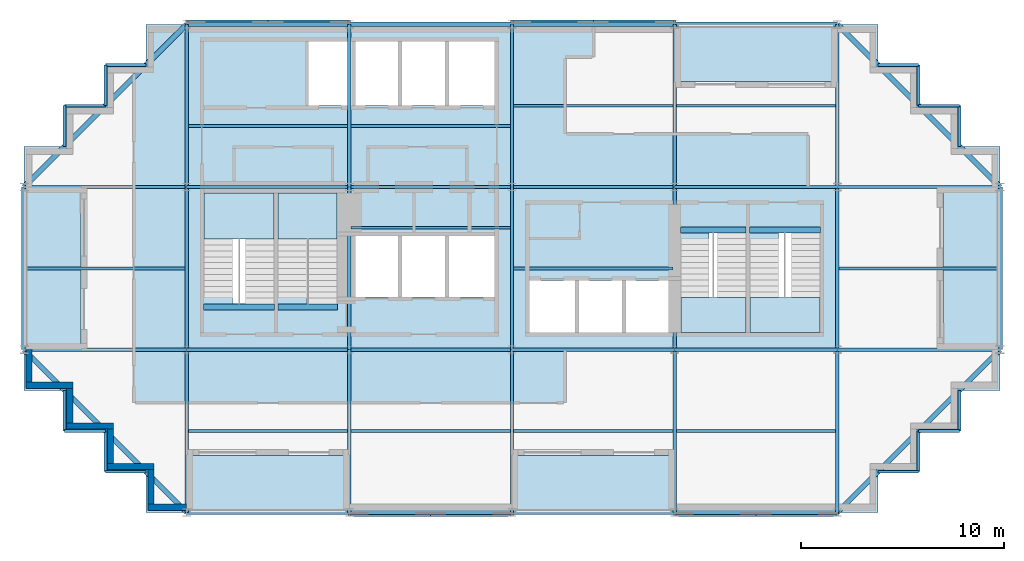
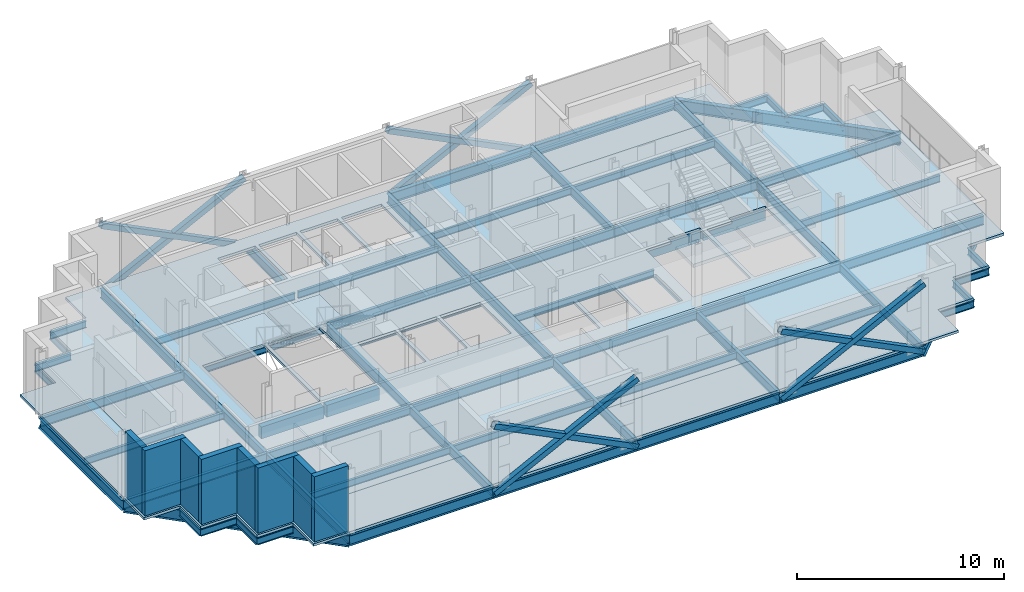
# One storey, part 3 of 8: 73 beams, 12 slabs, 8 members, 8 walls, 4 elements without a shape of their own.
"""IFC4 building model written with IfcOpenShell, lengths in metres."""

from ifc_helpers import new_model, si_unit, direction, frame, frame_2d, origin, origin_2d, place, context, subcontext, project, spatial, polyline, rectangle, hollow_rectangle, i_section, outline, extrude, material, layer, layer_set, material_profile, profile_set, type_object, element, aggregate, save


model = new_model("IFC4")

# Units and contexts
model_context = context("Model", 3, precision=1e-05, world=origin(), true_north=direction((0.0, 1.0)))
body_context = subcontext(model_context, "Body", "Model", "MODEL_VIEW")
ifc_project = project(units=[si_unit("LENGTHUNIT", "METRE"), si_unit("AREAUNIT", "SQUARE_METRE"), si_unit("VOLUMEUNIT", "CUBIC_METRE"), si_unit("PLANEANGLEUNIT", "RADIAN"), si_unit("MASSUNIT", "GRAM", prefix="KILO")], contexts=[model_context])

# Site, building, storey
site_placement = place(None, origin())
site = spatial("IfcSite", under=ifc_project, at=site_placement, CompositionType="ELEMENT")
building_placement = place(site_placement, origin())
building = spatial("IfcBuilding", under=site, at=building_placement, Name="Immortelle Media Tower", CompositionType="ELEMENT")
storey_placement = place(building_placement, frame((0.0, 0.0, 267.0)))
storey = spatial("IfcBuildingStorey", under=building, at=storey_placement, Name="L58", CompositionType="ELEMENT", Elevation=267.0)

# Members
ifc_material_1 = material(Name="Steel ASTM A500 Gr C", Category="steel")
ifc_material_profile_1 = material_profile(ifc_material_1, hollow_rectangle(XDim=0.304931640625, YDim=0.304931640625, WallThickness=0.011962890625, at=origin_2d()), Name="HSS12x12x1/2 brace")
ifc_profile_set_1 = profile_set([ifc_material_profile_1], Name="Steel ASTM A500 Gr C")
member_type = type_object("IfcMemberType", Name="HSS12x12x1/2 brace", PredefinedType="BRACE", material=ifc_profile_set_1)
for number, where, z_axis, x_axis, name in (
    (1, (16.0, -0.0625, -0.4560546875), (0.894427191, 0.0, 0.4472135955), (0.0, 1.0, 0.0), "Brace A/3-4 A"),
    (2, (16.0, -0.0625, 3.5439453125), (0.894427191, 0.0, -0.4472135955), (0.0, 1.0, 0.0), "Brace A/3-4 B"),
    (3, (32.0, -0.0625, -0.4560546875), (0.894427191, 0.0, 0.4472135955), (0.0, 1.0, 0.0), "Brace A/5-6 A"),
    (4, (32.0, -0.0625, 3.5439453125), (0.894427191, 0.0, -0.4472135955), (0.0, 1.0, 0.0), "Brace A/5-6 B"),
    (5, (32.0, 24.0625, -0.4560546875), (-0.894427191, 0.0, 0.4472135955), (0.0, -1.0, 0.0), "Brace D/4-5 A"),
    (6, (32.0, 24.0625, 3.5439453125), (-0.894427191, 0.0, -0.4472135955), (0.0, -1.0, 0.0), "Brace D/4-5 B"),
    (7, (16.0, 24.0625, -0.4560546875), (-0.894427191, 0.0, 0.4472135955), (0.0, -1.0, 0.0), "Brace D/2-3 A"),
    (8, (16.0, 24.0625, 3.5439453125), (-0.894427191, 0.0, -0.4472135955), (0.0, -1.0, 0.0), "Brace D/2-3 B"),
):
    element("IfcMember", number, at=place(storey_placement, frame(where, z_axis=z_axis, x_axis=x_axis)), inside=storey, type_object=member_type, Name=name, PredefinedType="BRACE", context=body_context, shape_type="SweptSolid", body=[
        extrude(hollow_rectangle(XDim=0.304931640625, YDim=0.304931640625, WallThickness=0.011962890625, at=origin_2d()), origin(), (0.0, 0.0, 1.0), 8.9443359375),
    ])

# Beams
ifc_material_2 = material(Name="Concrete C50/60", Category="concrete")
ifc_material_profile_2 = material_profile(ifc_material_2, rectangle(XDim=0.300048828125, YDim=0.699951171875, at=origin_2d()), Name="RC 300x700")
ifc_profile_set_2 = profile_set([ifc_material_profile_2], Name="Concrete C50/60")
beam_type_1 = type_object("IfcBeamType", Name="Stair trimmer beam 300 x 700", PredefinedType="BEAM", material=ifc_profile_set_2)
beam_1_placement = place(storey_placement, frame((8.830078125, 10.10498046875, -0.5), z_axis=(1.0, 0.0, 0.0), x_axis=(0.0, 1.0, 0.0)))
element("IfcBeam", 9, at=beam_1_placement, inside=storey, type_object=beam_type_1, Name="Stair trimmer beam SW1", PredefinedType="BEAM", context=body_context, shape_type="SweptSolid", body=[
    extrude(rectangle(XDim=0.300048828125, YDim=0.699951171875, at=origin_2d()), origin(), (0.0, 0.0, 1.0), 3.489990234375),
])
beam_2_placement = place(storey_placement, frame((12.47998046875, 10.10498046875, -0.5), z_axis=(1.0, 0.0, 0.0), x_axis=(0.0, 1.0, 0.0)))
element("IfcBeam", 10, at=beam_2_placement, inside=storey, type_object=beam_type_1, Name="Stair trimmer beam SW2", PredefinedType="BEAM", context=body_context, shape_type="SweptSolid", body=[
    extrude(rectangle(XDim=0.300048828125, YDim=0.699951171875, at=origin_2d()), origin(), (0.0, 0.0, 1.0), 2.93994140625),
])
beam_3_placement = place(storey_placement, frame((32.280029296875, 13.89501953125, -0.5), z_axis=(1.0, 0.0, 0.0), x_axis=(0.0, 1.0, 0.0)))
element("IfcBeam", 11, at=beam_3_placement, inside=storey, type_object=beam_type_1, Name="Stair trimmer beam SE1", PredefinedType="BEAM", context=body_context, shape_type="SweptSolid", body=[
    extrude(rectangle(XDim=0.300048828125, YDim=0.699951171875, at=origin_2d()), origin(), (0.0, 0.0, 1.0), 3.239990234375),
])
beam_4_placement = place(storey_placement, frame((35.679931640625, 13.89501953125, -0.5), z_axis=(1.0, 0.0, 0.0), x_axis=(0.0, 1.0, 0.0)))
element("IfcBeam", 12, at=beam_4_placement, inside=storey, type_object=beam_type_1, Name="Stair trimmer beam SE2", PredefinedType="BEAM", context=body_context, shape_type="SweptSolid", body=[
    extrude(rectangle(XDim=0.300048828125, YDim=0.699951171875, at=origin_2d()), origin(), (0.0, 0.0, 1.0), 3.489990234375),
])
ifc_material_3 = material(Name="Steel ASTM A992 Gr 50", Category="steel")
ifc_material_profile_3 = material_profile(ifc_material_3, i_section(OverallWidth=0.139892578125, OverallDepth=0.404052734375, WebThickness=0.007080078125, FlangeThickness=0.010986328125, at=origin_2d()), Name="W16x31")
ifc_profile_set_3 = profile_set([ifc_material_profile_3], Name="Steel ASTM A992 Gr 50")
beam_type_2 = type_object("IfcBeamType", Name="W16x31 secondary beam", PredefinedType="JOIST", material=ifc_profile_set_3)
for number, where, z_axis, x_axis, name in (
    (13, (8.08349609375, 4.0, -0.35205078125), (1.0, 0.0, 0.0), (0.0, 1.0, 0.0), "Beam A-B/2-3"),
    (14, (16.08349609375, 4.0, -0.35205078125), (1.0, 0.0, 0.0), (0.0, 1.0, 0.0), "Beam A-B/3-4"),
    (15, (24.08349609375, 4.0, -0.35205078125), (1.0, 0.0, 0.0), (0.0, 1.0, 0.0), "Beam A-B/4-5"),
    (16, (32.08349609375, 4.0, -0.35205078125), (1.0, 0.0, 0.0), (0.0, 1.0, 0.0), "Beam A-B/5-6"),
):
    element("IfcBeam", number, at=place(storey_placement, frame(where, z_axis=z_axis, x_axis=x_axis)), inside=storey, type_object=beam_type_2, Name=name, PredefinedType="JOIST", context=body_context, shape_type="SweptSolid", body=[
        extrude(i_section(OverallWidth=0.139892578125, OverallDepth=0.404052734375, WebThickness=0.007080078125, FlangeThickness=0.010986328125, at=origin_2d()), origin(), (0.0, 0.0, 1.0), 7.8330078125),
    ])
beam_5_placement = place(storey_placement, frame((0.114501953125, 12.0, -0.35205078125), z_axis=(1.0, 0.0, 0.0), x_axis=(0.0, 1.0, 0.0)))
element("IfcBeam", 17, at=beam_5_placement, inside=storey, type_object=beam_type_2, Name="Beam B-C/1-2", PredefinedType="JOIST", context=body_context, shape_type="SweptSolid", body=[
    extrude(i_section(OverallWidth=0.139892578125, OverallDepth=0.404052734375, WebThickness=0.007080078125, FlangeThickness=0.010986328125, at=origin_2d()), origin(), (0.0, 0.0, 1.0), 7.802001953125),
])
for number, where, z_axis, x_axis, name in (
    (18, (16.08349609375, 14.0, -0.35205078125), (1.0, 0.0, 0.0), (0.0, 1.0, 0.0), "Beam B-C/3-4"),
    (19, (24.08349609375, 12.0, -0.35205078125), (1.0, 0.0, 0.0), (0.0, 1.0, 0.0), "Beam B-C/4-5"),
):
    element("IfcBeam", number, at=place(storey_placement, frame(where, z_axis=z_axis, x_axis=x_axis)), inside=storey, type_object=beam_type_2, Name=name, PredefinedType="JOIST", context=body_context, shape_type="SweptSolid", body=[
        extrude(i_section(OverallWidth=0.139892578125, OverallDepth=0.404052734375, WebThickness=0.007080078125, FlangeThickness=0.010986328125, at=origin_2d()), origin(), (0.0, 0.0, 1.0), 7.8330078125),
    ])
beam_6_placement = place(storey_placement, frame((40.08349609375, 12.0, -0.35205078125), z_axis=(1.0, 0.0, 0.0), x_axis=(0.0, 1.0, 0.0)))
element("IfcBeam", 20, at=beam_6_placement, inside=storey, type_object=beam_type_2, Name="Beam B-C/6-7", PredefinedType="JOIST", context=body_context, shape_type="SweptSolid", body=[
    extrude(i_section(OverallWidth=0.139892578125, OverallDepth=0.404052734375, WebThickness=0.007080078125, FlangeThickness=0.010986328125, at=origin_2d()), origin(), (0.0, 0.0, 1.0), 7.802001953125),
])
for number, where, z_axis, x_axis, name in (
    (21, (8.08349609375, 19.0, -0.35205078125), (1.0, 0.0, 0.0), (0.0, 1.0, 0.0), "Beam C-D/2-3"),
    (22, (16.08349609375, 19.0, -0.35205078125), (1.0, 0.0, 0.0), (0.0, 1.0, 0.0), "Beam C-D/3-4"),
    (23, (24.08349609375, 20.0, -0.35205078125), (1.0, 0.0, 0.0), (0.0, 1.0, 0.0), "Beam C-D/4-5"),
    (24, (32.08349609375, 20.0, -0.35205078125), (1.0, 0.0, 0.0), (0.0, 1.0, 0.0), "Beam C-D/5-6"),
):
    element("IfcBeam", number, at=place(storey_placement, frame(where, z_axis=z_axis, x_axis=x_axis)), inside=storey, type_object=beam_type_2, Name=name, PredefinedType="JOIST", context=body_context, shape_type="SweptSolid", body=[
        extrude(i_section(OverallWidth=0.139892578125, OverallDepth=0.404052734375, WebThickness=0.007080078125, FlangeThickness=0.010986328125, at=origin_2d()), origin(), (0.0, 0.0, 1.0), 7.8330078125),
    ])
ifc_material_profile_4 = material_profile(ifc_material_3, i_section(OverallWidth=0.139892578125, OverallDepth=0.404052734375, WebThickness=0.007080078125, FlangeThickness=0.010986328125, at=origin_2d()), Name="W16x31")
ifc_profile_set_4 = profile_set([ifc_material_profile_4], Name="Steel ASTM A992 Gr 50")
beam_type_3 = type_object("IfcBeamType", Name="W16x31 serration edge beam", PredefinedType="SPANDREL", material=ifc_profile_set_4)
for number, where, z_axis, x_axis, name in (
    (25, (6.0, 2.0, -0.35205078125), (-1.0, 0.0, 0.0), (0.0, -1.0, 0.0), "Corner edge beam 1 at 1/A"),
    (26, (4.0, 2.0, -0.35205078125), (0.0, 1.0, 0.0), (-1.0, 0.0, 0.0), "Corner edge beam 2 at 1/A"),
    (27, (4.0, 4.0, -0.35205078125), (-1.0, 0.0, 0.0), (0.0, -1.0, 0.0), "Corner edge beam 3 at 1/A"),
    (28, (2.0, 4.0, -0.35205078125), (0.0, 1.0, 0.0), (-1.0, 0.0, 0.0), "Corner edge beam 4 at 1/A"),
    (29, (2.0, 18.0, -0.35205078125), (0.0, 1.0, 0.0), (-1.0, 0.0, 0.0), "Corner edge beam 1 at 1/D"),
    (30, (2.0, 20.0, -0.35205078125), (1.0, 0.0, 0.0), (0.0, 1.0, 0.0), "Corner edge beam 2 at 1/D"),
    (31, (4.0, 20.0, -0.35205078125), (0.0, 1.0, 0.0), (-1.0, 0.0, 0.0), "Corner edge beam 3 at 1/D"),
    (32, (4.0, 22.0, -0.35205078125), (1.0, 0.0, 0.0), (0.0, 1.0, 0.0), "Corner edge beam 4 at 1/D"),
    (33, (46.0, 6.0, -0.35205078125), (0.0, -1.0, 0.0), (1.0, 0.0, 0.0), "Corner edge beam 1 at 7/A"),
    (34, (46.0, 4.0, -0.35205078125), (-1.0, 0.0, 0.0), (0.0, -1.0, 0.0), "Corner edge beam 2 at 7/A"),
    (35, (44.0, 4.0, -0.35205078125), (0.0, -1.0, 0.0), (1.0, 0.0, 0.0), "Corner edge beam 3 at 7/A"),
    (36, (44.0, 2.0, -0.35205078125), (-1.0, 0.0, 0.0), (0.0, -1.0, 0.0), "Corner edge beam 4 at 7/A"),
    (37, (42.0, 22.0, -0.35205078125), (1.0, 0.0, 0.0), (0.0, 1.0, 0.0), "Corner edge beam 1 at 7/D"),
    (38, (44.0, 22.0, -0.35205078125), (0.0, -1.0, 0.0), (1.0, 0.0, 0.0), "Corner edge beam 2 at 7/D"),
    (39, (44.0, 20.0, -0.35205078125), (1.0, 0.0, 0.0), (0.0, 1.0, 0.0), "Corner edge beam 3 at 7/D"),
    (40, (46.0, 20.0, -0.35205078125), (0.0, -1.0, 0.0), (1.0, 0.0, 0.0), "Corner edge beam 4 at 7/D"),
):
    element("IfcBeam", number, at=place(storey_placement, frame(where, z_axis=z_axis, x_axis=x_axis)), inside=storey, type_object=beam_type_3, Name=name, PredefinedType="SPANDREL", context=body_context, shape_type="SweptSolid", body=[
        extrude(i_section(OverallWidth=0.139892578125, OverallDepth=0.404052734375, WebThickness=0.007080078125, FlangeThickness=0.010986328125, at=origin_2d()), origin(), (0.0, 0.0, 1.0), 2.0),
    ])
ifc_material_profile_5 = material_profile(ifc_material_3, i_section(OverallWidth=0.1669921875, OverallDepth=0.535888671875, WebThickness=0.010009765625, FlangeThickness=0.01708984375, at=origin_2d()), Name="W21x57")
ifc_profile_set_5 = profile_set([ifc_material_profile_5], Name="Steel ASTM A992 Gr 50")
beam_type_4 = type_object("IfcBeamType", Name="W21x57 girder", PredefinedType="BEAM", material=ifc_profile_set_5)
for number, where, z_axis, x_axis, name in (
    (41, (0.0, 8.0, -0.41796875), (1.0, 0.0, 0.0), (0.0, 1.0, 0.0), "Girder B/1-2"),
    (42, (0.0, 16.0, -0.41796875), (1.0, 0.0, 0.0), (0.0, 1.0, 0.0), "Girder C/1-2"),
    (43, (8.0, 0.0, -0.41796875), (0.0, 1.0, 0.0), (-1.0, 0.0, 0.0), "Girder 2/A-B"),
    (44, (8.0, 8.0, -0.41796875), (1.0, 0.0, 0.0), (0.0, 1.0, 0.0), "Girder B/2-3"),
    (45, (8.0, 8.0, -0.41796875), (0.0, 1.0, 0.0), (-1.0, 0.0, 0.0), "Girder 2/B-C"),
    (46, (8.0, 16.0, -0.41796875), (1.0, 0.0, 0.0), (0.0, 1.0, 0.0), "Girder C/2-3"),
    (47, (8.0, 16.0, -0.41796875), (0.0, 1.0, 0.0), (-1.0, 0.0, 0.0), "Girder 2/C-D"),
    (48, (16.0, 0.0, -0.41796875), (0.0, 1.0, 0.0), (-1.0, 0.0, 0.0), "Girder 3/A-B"),
    (49, (16.0, 8.0, -0.41796875), (1.0, 0.0, 0.0), (0.0, 1.0, 0.0), "Girder B/3-4"),
    (50, (16.0, 8.0, -0.41796875), (0.0, 1.0, 0.0), (-1.0, 0.0, 0.0), "Girder 3/B-C"),
    (51, (16.0, 16.0, -0.41796875), (1.0, 0.0, 0.0), (0.0, 1.0, 0.0), "Girder C/3-4"),
    (52, (16.0, 16.0, -0.41796875), (0.0, 1.0, 0.0), (-1.0, 0.0, 0.0), "Girder 3/C-D"),
    (53, (24.0, 0.0, -0.41796875), (0.0, 1.0, 0.0), (-1.0, 0.0, 0.0), "Girder 4/A-B"),
    (54, (24.0, 8.0, -0.41796875), (1.0, 0.0, 0.0), (0.0, 1.0, 0.0), "Girder B/4-5"),
    (55, (24.0, 8.0, -0.41796875), (0.0, 1.0, 0.0), (-1.0, 0.0, 0.0), "Girder 4/B-C"),
    (56, (24.0, 16.0, -0.41796875), (1.0, 0.0, 0.0), (0.0, 1.0, 0.0), "Girder C/4-5"),
    (57, (24.0, 16.0, -0.41796875), (0.0, 1.0, 0.0), (-1.0, 0.0, 0.0), "Girder 4/C-D"),
    (58, (32.0, 0.0, -0.41796875), (0.0, 1.0, 0.0), (-1.0, 0.0, 0.0), "Girder 5/A-B"),
    (59, (32.0, 8.0, -0.41796875), (1.0, 0.0, 0.0), (0.0, 1.0, 0.0), "Girder B/5-6"),
    (60, (32.0, 8.0, -0.41796875), (0.0, 1.0, 0.0), (-1.0, 0.0, 0.0), "Girder 5/B-C"),
    (61, (32.0, 16.0, -0.41796875), (1.0, 0.0, 0.0), (0.0, 1.0, 0.0), "Girder C/5-6"),
    (62, (32.0, 16.0, -0.41796875), (0.0, 1.0, 0.0), (-1.0, 0.0, 0.0), "Girder 5/C-D"),
    (63, (40.0, 0.0, -0.41796875), (0.0, 1.0, 0.0), (-1.0, 0.0, 0.0), "Girder 6/A-B"),
    (64, (40.0, 8.0, -0.41796875), (1.0, 0.0, 0.0), (0.0, 1.0, 0.0), "Girder B/6-7"),
    (65, (40.0, 8.0, -0.41796875), (0.0, 1.0, 0.0), (-1.0, 0.0, 0.0), "Girder 6/B-C"),
    (66, (40.0, 16.0, -0.41796875), (1.0, 0.0, 0.0), (0.0, 1.0, 0.0), "Girder C/6-7"),
    (67, (40.0, 16.0, -0.41796875), (0.0, 1.0, 0.0), (-1.0, 0.0, 0.0), "Girder 6/C-D"),
):
    element("IfcBeam", number, at=place(storey_placement, frame(where, z_axis=z_axis, x_axis=x_axis)), inside=storey, type_object=beam_type_4, Name=name, PredefinedType="BEAM", context=body_context, shape_type="SweptSolid", body=[
        extrude(i_section(OverallWidth=0.1669921875, OverallDepth=0.535888671875, WebThickness=0.010009765625, FlangeThickness=0.01708984375, at=origin_2d()), origin(), (0.0, 0.0, 1.0), 8.0),
    ])
ifc_material_profile_6 = material_profile(ifc_material_3, i_section(OverallWidth=0.22900390625, OverallDepth=0.612060546875, WebThickness=0.011962890625, FlangeThickness=0.02001953125, at=origin_2d()), Name="W24x84")
ifc_profile_set_6 = profile_set([ifc_material_profile_6], Name="Steel ASTM A992 Gr 50")
beam_type_5 = type_object("IfcBeamType", Name="W24x84 perimeter girder", PredefinedType="SPANDREL", material=ifc_profile_set_6)
for number, where, z_axis, x_axis, name in (
    (68, (0.0, 8.0, -0.4560546875), (0.0, 1.0, 0.0), (-1.0, 0.0, 0.0), "Girder 1/B-C"),
    (69, (8.0, 0.0, -0.4560546875), (1.0, 0.0, 0.0), (0.0, 1.0, 0.0), "Girder A/2-3"),
    (70, (8.0, 24.0, -0.4560546875), (1.0, 0.0, 0.0), (0.0, 1.0, 0.0), "Girder D/2-3"),
    (71, (16.0, 0.0, -0.4560546875), (1.0, 0.0, 0.0), (0.0, 1.0, 0.0), "Girder A/3-4"),
    (72, (16.0, 24.0, -0.4560546875), (1.0, 0.0, 0.0), (0.0, 1.0, 0.0), "Girder D/3-4"),
    (73, (24.0, 0.0, -0.4560546875), (1.0, 0.0, 0.0), (0.0, 1.0, 0.0), "Girder A/4-5"),
    (74, (24.0, 24.0, -0.4560546875), (1.0, 0.0, 0.0), (0.0, 1.0, 0.0), "Girder D/4-5"),
    (75, (32.0, 0.0, -0.4560546875), (1.0, 0.0, 0.0), (0.0, 1.0, 0.0), "Girder A/5-6"),
    (76, (32.0, 24.0, -0.4560546875), (1.0, 0.0, 0.0), (0.0, 1.0, 0.0), "Girder D/5-6"),
    (77, (48.0, 8.0, -0.4560546875), (0.0, 1.0, 0.0), (-1.0, 0.0, 0.0), "Girder 7/B-C"),
):
    element("IfcBeam", number, at=place(storey_placement, frame(where, z_axis=z_axis, x_axis=x_axis)), inside=storey, type_object=beam_type_5, Name=name, PredefinedType="SPANDREL", context=body_context, shape_type="SweptSolid", body=[
        extrude(i_section(OverallWidth=0.22900390625, OverallDepth=0.612060546875, WebThickness=0.011962890625, FlangeThickness=0.02001953125, at=origin_2d()), origin(), (0.0, 0.0, 1.0), 8.0),
    ])
ifc_material_profile_7 = material_profile(ifc_material_3, i_section(OverallWidth=0.2529296875, OverallDepth=0.677978515625, WebThickness=0.011962890625, FlangeThickness=0.01611328125, at=origin_2d()), Name="W27x84")
ifc_profile_set_7 = profile_set([ifc_material_profile_7], Name="Steel ASTM A992 Gr 50")
beam_type_6 = type_object("IfcBeamType", Name="W27x84 corner girder", PredefinedType="SPANDREL", material=ifc_profile_set_7)
for number, where, z_axis, x_axis, name in (
    (78, (8.0, 0.0, -0.489013671875), (-0.707106781187, 0.707106781187, 0.0), (-0.707106781187, -0.707106781187, 0.0), "Corner girder at 1/A"),
    (79, (0.0, 16.0, -0.489013671875), (0.707106781187, 0.707106781187, 0.0), (-0.707106781187, 0.707106781187, 0.0), "Corner girder at 1/D"),
    (80, (48.0, 8.0, -0.489013671875), (-0.707106781187, -0.707106781187, 0.0), (0.707106781187, -0.707106781187, 0.0), "Corner girder at 7/A"),
    (81, (40.0, 24.0, -0.489013671875), (0.707106781187, -0.707106781187, 0.0), (0.707106781187, 0.707106781187, 0.0), "Corner girder at 7/D"),
):
    element("IfcBeam", number, at=place(storey_placement, frame(where, z_axis=z_axis, x_axis=x_axis)), inside=storey, type_object=beam_type_6, Name=name, PredefinedType="SPANDREL", context=body_context, shape_type="SweptSolid", body=[
        extrude(i_section(OverallWidth=0.2529296875, OverallDepth=0.677978515625, WebThickness=0.011962890625, FlangeThickness=0.01611328125, at=origin_2d()), origin(), (0.0, 0.0, 1.0), 11.313720703125),
    ])

# Slabs
ifc_material_4 = material(Name="Concrete C50/60 composite deck", Category="concrete")
ifc_layer_1 = layer(ifc_material_4, 0.14990234375)
ifc_layer_set_1 = layer_set([ifc_layer_1], Name="Concrete C50/60 composite deck")
slab_type_1 = type_object("IfcSlabType", Name="Balcony slab 150", PredefinedType="FLOOR", material=ifc_layer_set_1)
slab_1_placement = place(storey_placement, frame((0.0, 0.0, -0.14990234375)))
element("IfcSlab", 82, at=slab_1_placement, inside=storey, type_object=slab_type_1, Name="Balcony slab L58 S0", PredefinedType="FLOOR", context=body_context, shape_type="SweptSolid", body=[
    extrude(outline(polyline([(16.0, 0.0), (16.0, 2.800048828125), (8.0, 2.800048828125), (8.0, 0.0), (16.0, 0.0)])), origin(), (0.0, 0.0, 1.0), 0.14990234375),
])
slab_2_placement = place(storey_placement, frame((0.0, 0.0, -0.14990234375)))
element("IfcSlab", 83, at=slab_2_placement, inside=storey, type_object=slab_type_1, Name="Balcony slab L58 S2", PredefinedType="FLOOR", context=body_context, shape_type="SweptSolid", body=[
    extrude(outline(polyline([(32.0, 0.0), (32.0, 2.800048828125), (24.0, 2.800048828125), (24.0, 0.0), (32.0, 0.0)])), origin(), (0.0, 0.0, 1.0), 0.14990234375),
])
slab_3_placement = place(storey_placement, frame((0.0, 0.0, -0.14990234375)))
element("IfcSlab", 84, at=slab_3_placement, inside=storey, type_object=slab_type_1, Name="Balcony slab L58 E0", PredefinedType="FLOOR", context=body_context, shape_type="SweptSolid", body=[
    extrude(outline(polyline([(48.0, 8.0), (48.0, 16.0), (45.199951171875, 16.0), (45.199951171875, 8.0), (48.0, 8.0)])), origin(), (0.0, 0.0, 1.0), 0.14990234375),
])
slab_4_placement = place(storey_placement, frame((0.0, 0.0, -0.14990234375)))
element("IfcSlab", 85, at=slab_4_placement, inside=storey, type_object=slab_type_1, Name="Balcony slab L58 N0", PredefinedType="FLOOR", context=body_context, shape_type="SweptSolid", body=[
    extrude(outline(polyline([(40.0, 21.199951171875), (40.0, 24.0), (32.0, 24.0), (32.0, 21.199951171875), (40.0, 21.199951171875)])), origin(), (0.0, 0.0, 1.0), 0.14990234375),
])
slab_5_placement = place(storey_placement, frame((0.0, 0.0, -0.14990234375)))
element("IfcSlab", 86, at=slab_5_placement, inside=storey, type_object=slab_type_1, Name="Balcony slab L58 W0", PredefinedType="FLOOR", context=body_context, shape_type="SweptSolid", body=[
    extrude(outline(polyline([(2.800048828125, 8.0), (2.800048828125, 16.0), (0.0, 16.0), (0.0, 8.0), (2.800048828125, 8.0)])), origin(), (0.0, 0.0, 1.0), 0.14990234375),
])
ifc_layer_2 = layer(ifc_material_2, 0.14990234375)
ifc_layer_set_2 = layer_set([ifc_layer_2], Name="Concrete C50/60")
slab_type_2 = type_object("IfcSlabType", Name="Composite floor slab 150", PredefinedType="FLOOR", material=ifc_layer_set_2)
slab_6_placement = place(storey_placement, frame((0.0, 0.0, -0.14990234375)))
element("IfcSlab", 87, at=slab_6_placement, inside=storey, type_object=slab_type_2, Name="Floor slab L58", PredefinedType="FLOOR", context=body_context, shape_type="SweptSolid", body=[
    extrude(outline(polyline([(6.0, 0.0), (6.0, 2.0), (4.0, 2.0), (4.0, 4.0), (2.0, 4.0), (2.0, 6.0), (0.0, 6.0), (0.0, 8.0), (2.800048828125, 8.0), (2.800048828125, 16.0), (0.0, 16.0), (0.0, 18.0), (2.0, 18.0), (2.0, 20.0), (4.0, 20.0), (4.0, 22.0), (6.0, 22.0), (6.0, 24.0), (8.0, 24.0), (8.0, 8.0), (24.0, 8.0), (40.0, 8.0), (40.0, 16.0), (24.0, 16.0), (24.0, 21.199951171875), (24.0, 24.0), (32.0, 24.0), (32.0, 21.199951171875), (40.0, 21.199951171875), (40.0, 24.0), (42.0, 24.0), (42.0, 22.0), (44.0, 22.0), (44.0, 20.0), (46.0, 20.0), (46.0, 18.0), (48.0, 18.0), (48.0, 16.0), (45.199951171875, 16.0), (45.199951171875, 8.0), (48.0, 8.0), (48.0, 6.0), (46.0, 6.0), (46.0, 4.0), (44.0, 4.0), (44.0, 2.0), (42.0, 2.0), (42.0, 0.0), (32.0, 0.0), (32.0, 2.800048828125), (24.0, 2.800048828125), (24.0, 0.0), (16.0, 0.0), (16.0, 2.800048828125), (8.0, 2.800048828125), (8.0, 0.0), (6.0, 0.0)])), origin(), (0.0, 0.0, 1.0), 0.14990234375),
])
ifc_layer_3 = layer(ifc_material_2, 0.14990234375)
ifc_layer_set_3 = layer_set([ifc_layer_3], Name="Concrete C50/60")
slab_type_3 = type_object("IfcSlabType", Name="Core floor slab 150", PredefinedType="FLOOR", material=ifc_layer_set_3)
slab_7_placement = place(storey_placement, frame((0.0, 0.0, -0.14990234375)))
element("IfcSlab", 88, at=slab_7_placement, inside=storey, type_object=slab_type_3, Name="Core floor SW", PredefinedType="FLOOR", context=body_context, shape_type="SweptSolid", body=[
    extrude(outline(polyline([(8.0, 8.0), (24.0, 8.0), (24.0, 24.0), (8.0, 24.0), (8.0, 8.0)]), holes=[polyline([(14.0, 20.0), (16.10009765625, 20.0), (16.10009765625, 23.14990234375), (14.0, 23.14990234375), (14.0, 20.0)]), polyline([(16.300048828125, 20.0), (18.39990234375, 20.0), (18.39990234375, 23.14990234375), (16.300048828125, 23.14990234375), (16.300048828125, 20.0)]), polyline([(18.60009765625, 20.0), (20.699951171875, 20.0), (20.699951171875, 23.14990234375), (18.60009765625, 23.14990234375), (18.60009765625, 20.0)]), polyline([(20.89990234375, 20.0), (23.14990234375, 20.0), (23.14990234375, 23.14990234375), (20.89990234375, 23.14990234375), (20.89990234375, 20.0)]), polyline([(16.300048828125, 10.60009765625), (18.39990234375, 10.60009765625), (18.39990234375, 13.60009765625), (16.300048828125, 13.60009765625), (16.300048828125, 10.60009765625)]), polyline([(18.60009765625, 10.60009765625), (20.699951171875, 10.60009765625), (20.699951171875, 13.60009765625), (18.60009765625, 13.60009765625), (18.60009765625, 10.60009765625)]), polyline([(20.89990234375, 10.60009765625), (23.14990234375, 10.60009765625), (23.14990234375, 13.60009765625), (20.89990234375, 13.60009765625), (20.89990234375, 10.60009765625)]), polyline([(8.85009765625, 15.699951171875), (12.300048828125, 15.699951171875), (12.300048828125, 10.27001953125), (10.25, 10.27001953125), (10.25, 10.56005859375), (8.85009765625, 10.56005859375), (8.85009765625, 15.699951171875)]), polyline([(12.5, 15.699951171875), (15.39990234375, 15.699951171875), (15.39990234375, 10.27001953125), (13.89990234375, 10.27001953125), (13.89990234375, 10.56005859375), (12.5, 10.56005859375), (12.5, 15.699951171875)])]), origin(), (0.0, 0.0, 1.0), 0.14990234375),
])
slab_8_placement = place(storey_placement, frame((0.0, 0.0, -0.14990234375)))
element("IfcSlab", 89, at=slab_8_placement, inside=storey, type_object=slab_type_3, Name="Core floor SE", PredefinedType="FLOOR", context=body_context, shape_type="SweptSolid", body=[
    extrude(outline(polyline([(24.0, 8.0), (40.0, 8.0), (40.0, 16.0), (24.0, 16.0), (24.0, 8.0)]), holes=[polyline([(24.85009765625, 8.85009765625), (27.10009765625, 8.85009765625), (27.10009765625, 11.39990234375), (24.85009765625, 11.39990234375), (24.85009765625, 8.85009765625)]), polyline([(27.300048828125, 8.85009765625), (29.39990234375, 8.85009765625), (29.39990234375, 11.39990234375), (27.300048828125, 11.39990234375), (27.300048828125, 8.85009765625)]), polyline([(29.60009765625, 8.85009765625), (31.699951171875, 8.85009765625), (31.699951171875, 11.39990234375), (29.60009765625, 11.39990234375), (29.60009765625, 8.85009765625)]), polyline([(35.5, 13.72998046875), (35.5, 8.85009765625), (32.300048828125, 8.85009765625), (32.300048828125, 13.43994140625), (33.699951171875, 13.43994140625), (33.699951171875, 13.72998046875), (35.5, 13.72998046875)]), polyline([(39.14990234375, 13.72998046875), (39.14990234375, 8.85009765625), (35.699951171875, 8.85009765625), (35.699951171875, 13.43994140625), (37.10009765625, 13.43994140625), (37.10009765625, 13.72998046875), (39.14990234375, 13.72998046875)])]), origin(), (0.0, 0.0, 1.0), 0.14990234375),
])

# Stair, slab
stair_type = type_object("IfcStairType", Name="Stair with flights", PredefinedType="DOUBLE_RETURN_STAIR", material=ifc_material_3)
stair_1_placement = place(storey_placement, origin())
stair_1 = element("IfcStair", 90, at=stair_1_placement, inside=storey, type_object=stair_type, Name="Exit stair SW1", PredefinedType="DOUBLE_RETURN_STAIR")
ifc_material_5 = material(Name="Steel ASTM A572 Gr 50", Category="steel")
ifc_layer_4 = layer(ifc_material_5, 0.199951171875)
ifc_layer_set_4 = layer_set([ifc_layer_4], Name="Steel ASTM A572 Gr 50")
slab_type_4 = type_object("IfcSlabType", Name="Stair landing 200", PredefinedType="LANDING", material=ifc_layer_set_4)
slab_9_placement = place(storey_placement, frame((0.0, 0.0, 1.713134765625)))
slab_9 = element("IfcSlab", 91, at=slab_9_placement, type_object=slab_type_4, Name="ST SW1 landing 1", PredefinedType="LANDING", context=body_context, shape_type="SweptSolid", body=[
    extrude(outline(polyline([(8.85009765625, 13.43994140625), (12.300048828125, 13.43994140625), (12.300048828125, 15.699951171875), (8.85009765625, 15.699951171875), (8.85009765625, 13.43994140625)])), origin(), (0.0, 0.0, 1.0), 0.199951171875),
])
aggregate(stair_1, [slab_9])

stair_2_placement = place(storey_placement, origin())
stair_2 = element("IfcStair", 92, at=stair_2_placement, inside=storey, type_object=stair_type, Name="Exit stair SW2", PredefinedType="DOUBLE_RETURN_STAIR")
slab_10_placement = place(storey_placement, frame((0.0, 0.0, 1.713134765625)))
slab_10 = element("IfcSlab", 93, at=slab_10_placement, type_object=slab_type_4, Name="ST SW2 landing 1", PredefinedType="LANDING", context=body_context, shape_type="SweptSolid", body=[
    extrude(outline(polyline([(12.5, 13.43994140625), (15.39990234375, 13.43994140625), (15.39990234375, 15.699951171875), (12.5, 15.699951171875), (12.5, 13.43994140625)])), origin(), (0.0, 0.0, 1.0), 0.199951171875),
])
aggregate(stair_2, [slab_10])

stair_3_placement = place(storey_placement, origin())
stair_3 = element("IfcStair", 94, at=stair_3_placement, inside=storey, type_object=stair_type, Name="Exit stair SE1", PredefinedType="DOUBLE_RETURN_STAIR")
slab_11_placement = place(storey_placement, frame((0.0, 0.0, 1.713134765625)))
slab_11 = element("IfcSlab", 95, at=slab_11_placement, type_object=slab_type_4, Name="ST SE1 landing 1", PredefinedType="LANDING", context=body_context, shape_type="SweptSolid", body=[
    extrude(outline(polyline([(32.300048828125, 8.85009765625), (35.5, 8.85009765625), (35.5, 10.56005859375), (32.300048828125, 10.56005859375), (32.300048828125, 8.85009765625)])), origin(), (0.0, 0.0, 1.0), 0.199951171875),
])
aggregate(stair_3, [slab_11])

stair_4_placement = place(storey_placement, origin())
stair_4 = element("IfcStair", 96, at=stair_4_placement, inside=storey, type_object=stair_type, Name="Exit stair SE2", PredefinedType="DOUBLE_RETURN_STAIR")
slab_12_placement = place(storey_placement, frame((0.0, 0.0, 1.713134765625)))
slab_12 = element("IfcSlab", 97, at=slab_12_placement, type_object=slab_type_4, Name="ST SE2 landing 1", PredefinedType="LANDING", context=body_context, shape_type="SweptSolid", body=[
    extrude(outline(polyline([(35.699951171875, 8.85009765625), (39.14990234375, 8.85009765625), (39.14990234375, 10.56005859375), (35.699951171875, 10.56005859375), (35.699951171875, 8.85009765625)])), origin(), (0.0, 0.0, 1.0), 0.199951171875),
])
aggregate(stair_4, [slab_12])

# Walls
ifc_material_6 = material(Name="Pale aluminium cladding panel", Category="aluminium")
ifc_layer_5 = layer(ifc_material_6, 0.030029296875)
ifc_material_7 = material(Name="Steel ASTM A653 SS Gr 50 stud frame with mineral wool", Category="steel")
ifc_layer_6 = layer(ifc_material_7, 0.257568359375)
ifc_material_8 = material(Name="Moisture-resistant gypsum board", Category="gypsum")
ifc_layer_7 = layer(ifc_material_8, 0.012451171875)
ifc_layer_set_5 = layer_set([ifc_layer_5, ifc_layer_6, ifc_layer_7], Name="Steel ASTM A653 SS Gr 50 stud frame with mineral wool")
wall_type = type_object("IfcWallType", Name="Facade wall 300", PredefinedType="SOLIDWALL", material=ifc_layer_set_5)
wall_1_placement = place(storey_placement, frame((0.10009765625, 6.25, 0.0), z_axis=(0.0, 0.0, 1.0), x_axis=(1.0, 0.0, 0.0)))
element("IfcWall", 98, at=wall_1_placement, inside=storey, type_object=wall_type, Name="Facade wall L58 S0", PredefinedType="SOLIDWALL", context=body_context, shape_type="SweptSolid", body=[
    extrude(rectangle(XDim=2.2998046875, YDim=0.300048828125, at=frame_2d((1.14990234375, 0.0))), origin(), (0.0, 0.0, 1.0), 3.85009765625),
])
wall_2_placement = place(storey_placement, frame((2.25, 6.10009765625, 0.0), z_axis=(0.0, 0.0, 1.0), x_axis=(0.0, -1.0, 0.0)))
element("IfcWall", 99, at=wall_2_placement, inside=storey, type_object=wall_type, Name="Facade wall L58 W1", PredefinedType="SOLIDWALL", context=body_context, shape_type="SweptSolid", body=[
    extrude(rectangle(XDim=1.7001953125, YDim=0.300048828125, at=frame_2d((0.85009765625, 0.0))), origin(), (0.0, 0.0, 1.0), 3.85009765625),
])
wall_3_placement = place(storey_placement, frame((2.10009765625, 4.25, 0.0), z_axis=(0.0, 0.0, 1.0), x_axis=(1.0, 0.0, 0.0)))
element("IfcWall", 100, at=wall_3_placement, inside=storey, type_object=wall_type, Name="Facade wall L58 S2", PredefinedType="SOLIDWALL", context=body_context, shape_type="SweptSolid", body=[
    extrude(rectangle(XDim=2.2998046875, YDim=0.300048828125, at=frame_2d((1.14990234375, 0.0))), origin(), (0.0, 0.0, 1.0), 3.85009765625),
])
wall_4_placement = place(storey_placement, frame((4.25, 4.10009765625, 0.0), z_axis=(0.0, 0.0, 1.0), x_axis=(0.0, -1.0, 0.0)))
element("IfcWall", 101, at=wall_4_placement, inside=storey, type_object=wall_type, Name="Facade wall L58 W3", PredefinedType="SOLIDWALL", context=body_context, shape_type="SweptSolid", body=[
    extrude(rectangle(XDim=1.7001953125, YDim=0.300048828125, at=frame_2d((0.85009765625, 0.0))), origin(), (0.0, 0.0, 1.0), 3.85009765625),
])
wall_5_placement = place(storey_placement, frame((4.10009765625, 2.25, 0.0), z_axis=(0.0, 0.0, 1.0), x_axis=(1.0, 0.0, 0.0)))
element("IfcWall", 102, at=wall_5_placement, inside=storey, type_object=wall_type, Name="Facade wall L58 S4", PredefinedType="SOLIDWALL", context=body_context, shape_type="SweptSolid", body=[
    extrude(rectangle(XDim=2.2998046875, YDim=0.300048828125, at=frame_2d((1.14990234375, 0.0))), origin(), (0.0, 0.0, 1.0), 3.85009765625),
])
wall_6_placement = place(storey_placement, frame((6.25, 2.10009765625, 0.0), z_axis=(0.0, 0.0, 1.0), x_axis=(0.0, -1.0, 0.0)))
element("IfcWall", 103, at=wall_6_placement, inside=storey, type_object=wall_type, Name="Facade wall L58 W5", PredefinedType="SOLIDWALL", context=body_context, shape_type="SweptSolid", body=[
    extrude(rectangle(XDim=1.7001953125, YDim=0.300048828125, at=frame_2d((0.85009765625, 0.0))), origin(), (0.0, 0.0, 1.0), 3.85009765625),
])
wall_7_placement = place(storey_placement, frame((6.10009765625, 0.25, 0.0), z_axis=(0.0, 0.0, 1.0), x_axis=(1.0, 0.0, 0.0)))
element("IfcWall", 104, at=wall_7_placement, inside=storey, type_object=wall_type, Name="Facade wall L58 S6", PredefinedType="SOLIDWALL", context=body_context, shape_type="SweptSolid", body=[
    extrude(rectangle(XDim=1.89990234375, YDim=0.300048828125, at=frame_2d((0.949951171875, 0.0))), origin(), (0.0, 0.0, 1.0), 3.85009765625),
])
wall_8_placement = place(storey_placement, frame((0.25, 8.0, 0.0), z_axis=(0.0, 0.0, 1.0), x_axis=(0.0, -1.0, 0.0)))
element("IfcWall", 105, at=wall_8_placement, inside=storey, type_object=wall_type, Name="Facade wall L58 W27", PredefinedType="SOLIDWALL", context=body_context, shape_type="SweptSolid", body=[
    extrude(rectangle(XDim=1.60009765625, YDim=0.300048828125, at=frame_2d((0.800048828125, 0.0))), origin(), (0.0, 0.0, 1.0), 3.85009765625),
])

save(model, "model.ifc")
